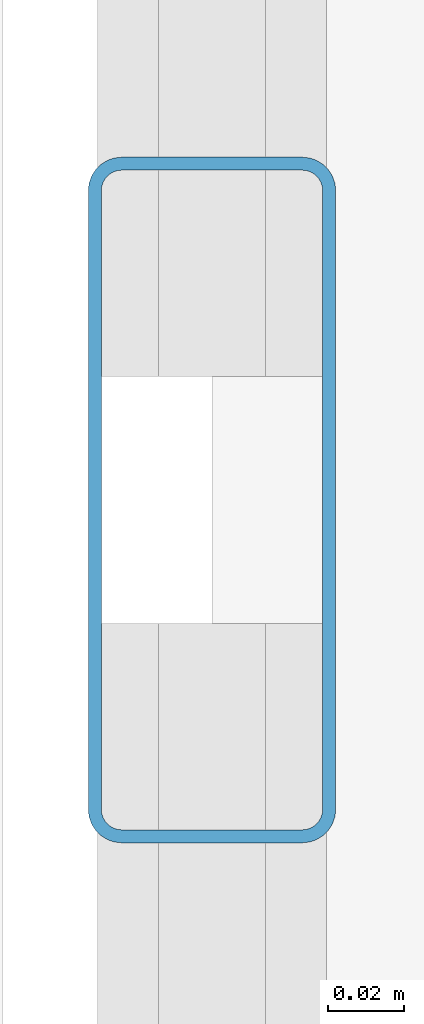
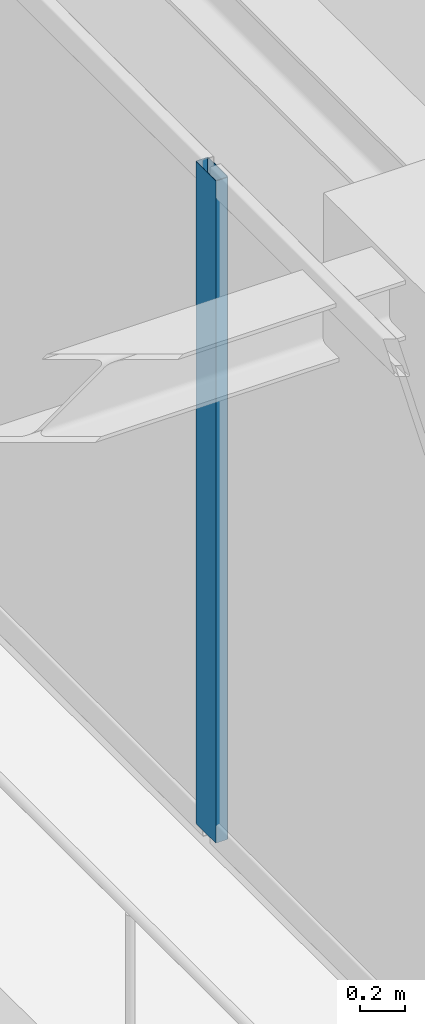
# One storey, part 7 of 38: 1 member, 1 element without a shape of its own.
"""IFC4 building model written with IfcOpenShell, lengths in metres."""

from ifc_helpers import new_model, si_unit, direction, frame, origin, origin_2d, place, context, subcontext, project, spatial, hollow_rectangle, extrude, source, transform, mapped, material, layer, layer_set, material_profile, profile_set, type_object, element, aggregate, save


model = new_model("IFC4")

# Units and contexts
model_context = context("Model", 3, precision=1e-05, world=origin(), true_north=direction((0.0, 1.0)))
body_context = subcontext(model_context, "Body", "Model", "MODEL_VIEW")
ifc_project = project(units=[si_unit("LENGTHUNIT", "METRE"), si_unit("AREAUNIT", "SQUARE_METRE"), si_unit("VOLUMEUNIT", "CUBIC_METRE"), si_unit("PLANEANGLEUNIT", "RADIAN"), si_unit("MASSUNIT", "GRAM", prefix="KILO")], contexts=[model_context])

# Site, building, storey
site_placement = place(None, origin())
site = spatial("IfcSite", under=ifc_project, at=site_placement, CompositionType="ELEMENT")
building_placement = place(site_placement, origin())
building = spatial("IfcBuilding", under=site, at=building_placement, Name="Serunith Strait Residences", CompositionType="ELEMENT")
storey_placement = place(building_placement, frame((0.0, 0.0, 264.35009765625)))
storey = spatial("IfcBuildingStorey", under=building, at=storey_placement, Name="L66", CompositionType="ELEMENT", Elevation=264.35009765625)

# Curtain wall, member
ifc_material = material(Name="Pale-Champagne Anodised Aluminium", Category="aluminium")
ifc_layer = layer(ifc_material, 0.199951171875, Name="Pale-Champagne Anodised Aluminium")
ifc_layer_set = layer_set([ifc_layer], Name="Pale-Champagne Anodised Aluminium")
curtain_wall_type = type_object("IfcCurtainWallType", Name="CW-SYS4", PredefinedType="NOTDEFINED", material=ifc_layer_set)
curtain_wall_placement = place(storey_placement, origin())
curtain_wall = element("IfcCurtainWall", 1, at=curtain_wall_placement, inside=storey, type_object=curtain_wall_type, Name="L66 W Unitised Fritted Curtain Wall", PredefinedType="NOTDEFINED")
ifc_material_profile = material_profile(ifc_material, hollow_rectangle(XDim=0.06494140625, YDim=0.179931640625, WallThickness=0.00341796875, InnerFilletRadius=0.00537109375, OuterFilletRadius=0.0087890625, at=origin_2d()), Name="ALU 180x65x3.5")
ifc_profile_set = profile_set([ifc_material_profile], Name="Pale-Champagne Anodised Aluminium")
member_type = type_object("IfcMemberType", Name="CW-SYS4-MULL", PredefinedType="MULLION", material=ifc_profile_set)
shared_shape = source(origin(), body_context, "Body", "SweptSolid", [
    extrude(hollow_rectangle(XDim=0.06494140625, YDim=0.179931640625, WallThickness=0.00341796875, InnerFilletRadius=0.00537109375, OuterFilletRadius=0.0087890625, at=origin_2d()), origin(), (0.0, 0.0, 1.0), 3.574951171875),
])
member_placement = place(storey_placement, frame((7.39990234375, 22.0, 0.0), z_axis=(0.0, 0.0, 1.0), x_axis=(1.0, 0.0, 0.0)))
member = element("IfcMember", 2, at=member_placement, type_object=member_type, Name="CW-4 mullion 4", PredefinedType="MULLION", context=body_context, shape_type="MappedRepresentation", body=[
    mapped(shared_shape, transform((0.0, 0.0, 0.0), scale=1.0)),
])
aggregate(curtain_wall, [member])

save(model, "model.ifc")
